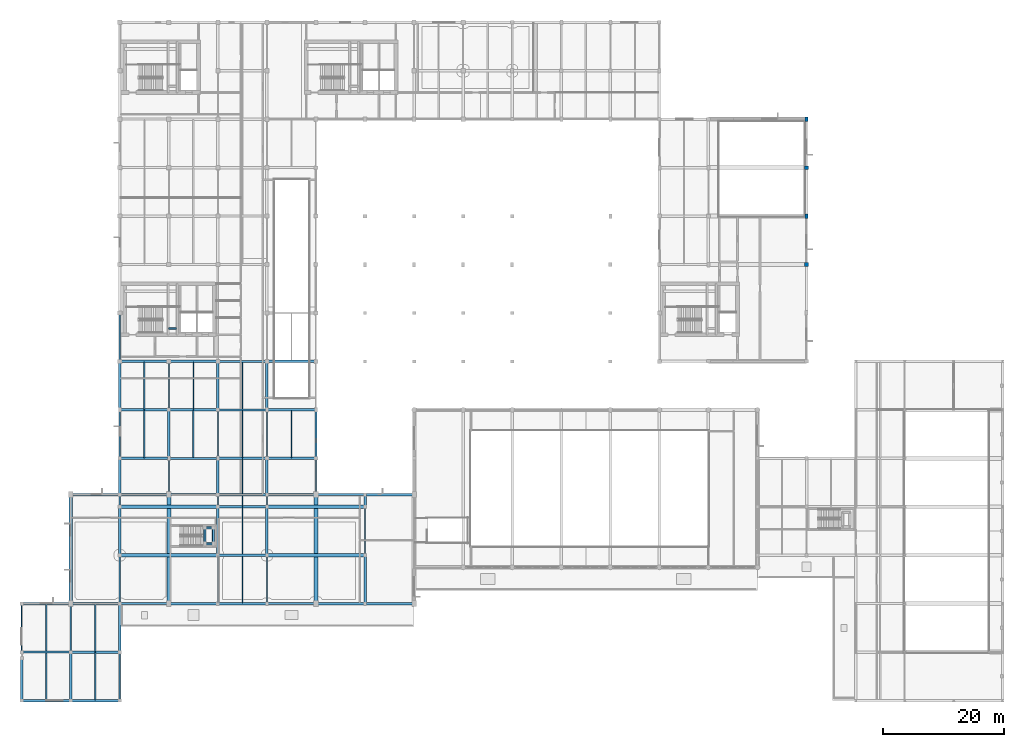
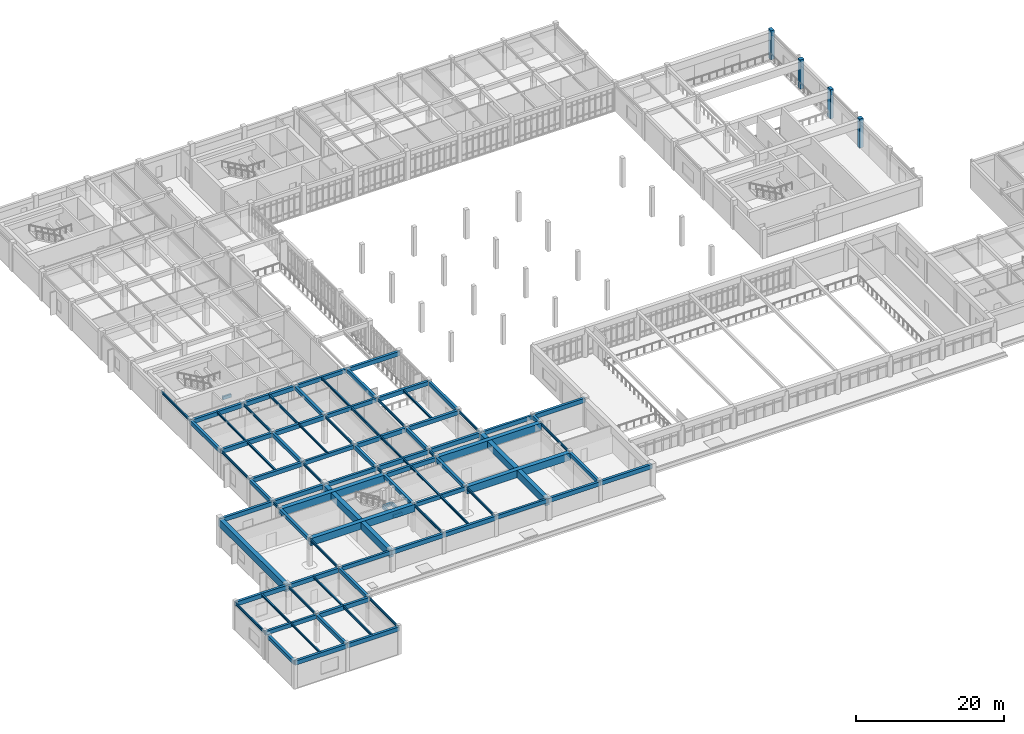
# One storey, part 4 of 61: 92 beams, 4 columns.
"""IFC4 building model written with IfcOpenShell, lengths in metres."""

from ifc_helpers import new_model, si_unit, direction, frame, origin, origin_2d, place, context, subcontext, project, spatial, rectangle, i_section, extrude, material, material_profile, profile_set, type_object, element, save


model = new_model("IFC4")

# Units and contexts
model_context = context("Model", 3, precision=1e-05, world=origin(), true_north=direction((0.0, 1.0)))
body_context = subcontext(model_context, "Body", "Model", "MODEL_VIEW")
ifc_project = project(units=[si_unit("LENGTHUNIT", "METRE"), si_unit("AREAUNIT", "SQUARE_METRE"), si_unit("VOLUMEUNIT", "CUBIC_METRE"), si_unit("PLANEANGLEUNIT", "RADIAN"), si_unit("MASSUNIT", "GRAM", prefix="KILO")], contexts=[model_context])

# Site, building, storey
site_placement = place(None, origin())
site = spatial("IfcSite", under=ifc_project, at=site_placement, CompositionType="ELEMENT")
building_placement = place(site_placement, origin())
building = spatial("IfcBuilding", under=site, at=building_placement, Name="Tarnveldt Square Police Headquarters", CompositionType="ELEMENT")
storey_placement = place(building_placement, frame((0.0, 0.0, 5.39990234375)))
storey = spatial("IfcBuildingStorey", under=building, at=storey_placement, Name="L01", CompositionType="ELEMENT", Elevation=5.39990234375)

# Columns
ifc_material_1 = material(Name="Concrete 40 MPa", Category="concrete")
ifc_material_profile_1 = material_profile(ifc_material_1, rectangle(XDim=0.5, YDim=0.75, at=origin_2d()), Name="RC-C500x750")
ifc_profile_set_1 = profile_set([ifc_material_profile_1], Name="Concrete 40 MPa")
column_type_1 = type_object("IfcColumnType", Name="COL-RC500x750", PredefinedType="COLUMN", material=ifc_profile_set_1)
for number, where, z_axis, x_axis, name in (
    (1, (129.60009765625, 80.0, 0.0), (0.0, 0.0, 1.0), (1.0, 0.0, 0.0), "L01 Column 175"),
    (2, (129.60009765625, 96.0, 0.0), (0.0, 0.0, 1.0), (1.0, 0.0, 0.0), "L01 Column 177"),
):
    element("IfcColumn", number, at=place(storey_placement, frame(where, z_axis=z_axis, x_axis=x_axis)), inside=storey, type_object=column_type_1, Name=name, PredefinedType="COLUMN", context=body_context, shape_type="SweptSolid", body=[
        extrude(rectangle(XDim=0.5, YDim=0.75, at=origin_2d()), origin(), (0.0, 0.0, 1.0), 4.800048828125),
    ])
ifc_material_profile_2 = material_profile(ifc_material_1, rectangle(XDim=0.60009765625, YDim=0.60009765625, at=origin_2d()), Name="RC-C600x600")
ifc_profile_set_2 = profile_set([ifc_material_profile_2], Name="Concrete 40 MPa")
column_type_2 = type_object("IfcColumnType", Name="COL-RC600", PredefinedType="COLUMN", material=ifc_profile_set_2)
for number, where, z_axis, x_axis, name in (
    (3, (129.60009765625, 72.0, 0.0), (0.0, 0.0, 1.0), (1.0, 0.0, 0.0), "L01 Column 174"),
    (4, (129.60009765625, 88.0, 0.0), (0.0, 0.0, 1.0), (1.0, 0.0, 0.0), "L01 Column 176"),
):
    element("IfcColumn", number, at=place(storey_placement, frame(where, z_axis=z_axis, x_axis=x_axis)), inside=storey, type_object=column_type_2, Name=name, PredefinedType="COLUMN", context=body_context, shape_type="SweptSolid", body=[
        extrude(rectangle(XDim=0.60009765625, YDim=0.60009765625, at=origin_2d()), origin(), (0.0, 0.0, 1.0), 4.800048828125),
    ])

# Beams
ifc_material_profile_3 = material_profile(ifc_material_1, rectangle(XDim=0.300048828125, YDim=0.5, at=origin_2d()), Name="RC-B300x500")
ifc_profile_set_3 = profile_set([ifc_material_profile_3], Name="Concrete 40 MPa")
beam_type_1 = type_object("IfcBeamType", Name="BM-RC300x500", PredefinedType="BEAM", material=ifc_profile_set_3)
beam_1_placement = place(storey_placement, frame((24.25, 61.449951171875, 1.9501953125), z_axis=(1.0, 0.0, 0.0), x_axis=(0.0, 1.0, 0.0)))
element("IfcBeam", 5, at=beam_1_placement, inside=storey, type_object=beam_type_1, Name="ST1 L01 Half-Landing Support Beam 2", PredefinedType="BEAM", context=body_context, shape_type="SweptSolid", body=[
    extrude(rectangle(XDim=0.300048828125, YDim=0.5, at=origin_2d()), origin(), (0.0, 0.0, 1.0), 1.300048828125),
])
for number, where, z_axis, x_axis, name in (
    (6, (30.25, 25.8798828125, 1.97021484375), (0.0, 1.0, 0.0), (-1.0, 0.0, 0.0), "ST6 L01 Half-Landing West Support Beam"),
    (7, (31.64990234375, 25.8798828125, 1.97021484375), (0.0, 1.0, 0.0), (-1.0, 0.0, 0.0), "ST6 L01 Half-Landing East Support Beam"),
):
    element("IfcBeam", number, at=place(storey_placement, frame(where, z_axis=z_axis, x_axis=x_axis)), inside=storey, type_object=beam_type_1, Name=name, PredefinedType="BEAM", context=body_context, shape_type="SweptSolid", body=[
        extrude(rectangle(XDim=0.300048828125, YDim=0.5, at=origin_2d()), origin(), (0.0, 0.0, 1.0), 2.64013671875),
    ])
for number, where, z_axis, x_axis, name in (
    (8, (30.25, 25.8798828125, 1.97021484375), (1.0, 0.0, 0.0), (0.0, 1.0, 0.0), "ST6 L01 Half-Landing South Support Beam"),
    (9, (30.25, 28.52001953125, 1.97021484375), (1.0, 0.0, 0.0), (0.0, 1.0, 0.0), "ST6 L01 Half-Landing North Support Beam"),
):
    element("IfcBeam", number, at=place(storey_placement, frame(where, z_axis=z_axis, x_axis=x_axis)), inside=storey, type_object=beam_type_1, Name=name, PredefinedType="BEAM", context=body_context, shape_type="SweptSolid", body=[
        extrude(rectangle(XDim=0.300048828125, YDim=0.5, at=origin_2d()), origin(), (0.0, 0.0, 1.0), 1.39990234375),
    ])
ifc_material_profile_4 = material_profile(ifc_material_1, rectangle(XDim=0.39990234375, YDim=0.60009765625, at=origin_2d()), Name="RC-B400x600")
ifc_profile_set_4 = profile_set([ifc_material_profile_4], Name="Concrete 40 MPa")
beam_type_2 = type_object("IfcBeamType", Name="BM-RC400x600", PredefinedType="BEAM", material=ifc_profile_set_4)
beam_2_placement = place(storey_placement, frame((0.0, 0.0, 4.22021484375), z_axis=(0.0, 1.0, 0.0), x_axis=(-1.0, 0.0, 0.0)))
element("IfcBeam", 10, at=beam_2_placement, inside=storey, type_object=beam_type_2, Name="L02 Grid Girder Y-0565", PredefinedType="BEAM", context=body_context, shape_type="SweptSolid", body=[
    extrude(rectangle(XDim=0.39990234375, YDim=0.60009765625, at=origin_2d()), origin(), (0.0, 0.0, 1.0), 7.0),
])
for number, where, z_axis, x_axis, name in (
    (11, (8.10009765625, 0.0, 4.22021484375), (0.0, 1.0, 0.0), (-1.0, 0.0, 0.0), "L02 Grid Girder Y-0567"),
    (12, (16.199951171875, 8.0, 4.22021484375), (0.0, 1.0, 0.0), (-1.0, 0.0, 0.0), "L02 Grid Girder Y-0571"),
    (13, (16.199951171875, 24.0, 4.22021484375), (0.0, 1.0, 0.0), (-1.0, 0.0, 0.0), "L02 Grid Girder Y-0573"),
):
    element("IfcBeam", number, at=place(storey_placement, frame(where, z_axis=z_axis, x_axis=x_axis)), inside=storey, type_object=beam_type_2, Name=name, PredefinedType="BEAM", context=body_context, shape_type="SweptSolid", body=[
        extrude(rectangle(XDim=0.39990234375, YDim=0.60009765625, at=origin_2d()), origin(), (0.0, 0.0, 1.0), 8.0),
    ])
beam_3_placement = place(storey_placement, frame((16.199951171875, 34.0, 4.22021484375), z_axis=(0.0, 1.0, 0.0), x_axis=(-1.0, 0.0, 0.0)))
element("IfcBeam", 14, at=beam_3_placement, inside=storey, type_object=beam_type_2, Name="L02 Grid Girder Y-0575", PredefinedType="BEAM", context=body_context, shape_type="SweptSolid", body=[
    extrude(rectangle(XDim=0.39990234375, YDim=0.60009765625, at=origin_2d()), origin(), (0.0, 0.0, 1.0), 6.0),
])
for number, where, z_axis, x_axis, name in (
    (15, (16.199951171875, 48.0, 4.22021484375), (0.0, 1.0, 0.0), (-1.0, 0.0, 0.0), "L02 Grid Girder Y-0577"),
    (16, (24.300048828125, 40.0, 4.22021484375), (0.0, 1.0, 0.0), (-1.0, 0.0, 0.0), "L02 Grid Girder Y-0587"),
    (17, (32.39990234375, 24.0, 4.22021484375), (0.0, 1.0, 0.0), (-1.0, 0.0, 0.0), "L02 Grid Girder Y-0593"),
):
    element("IfcBeam", number, at=place(storey_placement, frame(where, z_axis=z_axis, x_axis=x_axis)), inside=storey, type_object=beam_type_2, Name=name, PredefinedType="BEAM", context=body_context, shape_type="SweptSolid", body=[
        extrude(rectangle(XDim=0.39990234375, YDim=0.60009765625, at=origin_2d()), origin(), (0.0, 0.0, 1.0), 8.0),
    ])
beam_4_placement = place(storey_placement, frame((32.39990234375, 34.0, 4.22021484375), z_axis=(0.0, 1.0, 0.0), x_axis=(-1.0, 0.0, 0.0)))
element("IfcBeam", 18, at=beam_4_placement, inside=storey, type_object=beam_type_2, Name="L02 Grid Girder Y-0595", PredefinedType="BEAM", context=body_context, shape_type="SweptSolid", body=[
    extrude(rectangle(XDim=0.39990234375, YDim=0.60009765625, at=origin_2d()), origin(), (0.0, 0.0, 1.0), 6.0),
])
for number, where, z_axis, x_axis, name in (
    (19, (32.39990234375, 48.0, 4.22021484375), (0.0, 1.0, 0.0), (-1.0, 0.0, 0.0), "L02 Grid Girder Y-0597"),
    (20, (40.5, 24.0, 4.22021484375), (0.0, 1.0, 0.0), (-1.0, 0.0, 0.0), "L02 Grid Girder Y-0605"),
):
    element("IfcBeam", number, at=place(storey_placement, frame(where, z_axis=z_axis, x_axis=x_axis)), inside=storey, type_object=beam_type_2, Name=name, PredefinedType="BEAM", context=body_context, shape_type="SweptSolid", body=[
        extrude(rectangle(XDim=0.39990234375, YDim=0.60009765625, at=origin_2d()), origin(), (0.0, 0.0, 1.0), 8.0),
    ])
beam_5_placement = place(storey_placement, frame((40.5, 34.0, 4.22021484375), z_axis=(0.0, 1.0, 0.0), x_axis=(-1.0, 0.0, 0.0)))
element("IfcBeam", 21, at=beam_5_placement, inside=storey, type_object=beam_type_2, Name="L02 Grid Girder Y-0607", PredefinedType="BEAM", context=body_context, shape_type="SweptSolid", body=[
    extrude(rectangle(XDim=0.39990234375, YDim=0.60009765625, at=origin_2d()), origin(), (0.0, 0.0, 1.0), 6.0),
])
for number, where, z_axis, x_axis, name in (
    (22, (40.5, 48.0, 4.22021484375), (0.0, 1.0, 0.0), (-1.0, 0.0, 0.0), "L02 Grid Girder Y-0609"),
    (23, (48.60009765625, 40.0, 4.22021484375), (0.0, 1.0, 0.0), (-1.0, 0.0, 0.0), "L02 Grid Girder Y-0619"),
    (24, (56.699951171875, 16.0, 4.22021484375), (0.0, 1.0, 0.0), (-1.0, 0.0, 0.0), "L02 Grid Girder Y-0625"),
):
    element("IfcBeam", number, at=place(storey_placement, frame(where, z_axis=z_axis, x_axis=x_axis)), inside=storey, type_object=beam_type_2, Name=name, PredefinedType="BEAM", context=body_context, shape_type="SweptSolid", body=[
        extrude(rectangle(XDim=0.39990234375, YDim=0.60009765625, at=origin_2d()), origin(), (0.0, 0.0, 1.0), 8.0),
    ])
beam_6_placement = place(storey_placement, frame((56.699951171875, 32.0, 4.22021484375), z_axis=(0.0, 1.0, 0.0), x_axis=(-1.0, 0.0, 0.0)))
element("IfcBeam", 25, at=beam_6_placement, inside=storey, type_object=beam_type_2, Name="L02 Grid Girder Y-0627", PredefinedType="BEAM", context=body_context, shape_type="SweptSolid", body=[
    extrude(rectangle(XDim=0.39990234375, YDim=0.60009765625, at=origin_2d()), origin(), (0.0, 0.0, 1.0), 2.0),
])
ifc_material_profile_5 = material_profile(ifc_material_1, rectangle(XDim=0.39990234375, YDim=0.699951171875, at=origin_2d()), Name="RC-B400x700")
ifc_profile_set_5 = profile_set([ifc_material_profile_5], Name="Concrete 40 MPa")
beam_type_3 = type_object("IfcBeamType", Name="BM-RC400x700", PredefinedType="BEAM", material=ifc_profile_set_5)
beam_7_placement = place(storey_placement, frame((0.0, 0.0, 4.170166015625), z_axis=(1.0, 0.0, 0.0), x_axis=(0.0, 1.0, 0.0)))
element("IfcBeam", 26, at=beam_7_placement, inside=storey, type_object=beam_type_3, Name="L02 Grid Girder X-0455", PredefinedType="BEAM", context=body_context, shape_type="SweptSolid", body=[
    extrude(rectangle(XDim=0.39990234375, YDim=0.699951171875, at=origin_2d()), origin(), (0.0, 0.0, 1.0), 8.10009765625),
])
for number, where, z_axis, x_axis, name in (
    (27, (8.10009765625, 0.0, 4.170166015625), (1.0, 0.0, 0.0), (0.0, 1.0, 0.0), "L02 Grid Girder X-0456"),
    (28, (8.10009765625, 8.0, 4.170166015625), (1.0, 0.0, 0.0), (0.0, 1.0, 0.0), "L02 Grid Girder X-0461"),
):
    element("IfcBeam", number, at=place(storey_placement, frame(where, z_axis=z_axis, x_axis=x_axis)), inside=storey, type_object=beam_type_3, Name=name, PredefinedType="BEAM", context=body_context, shape_type="SweptSolid", body=[
        extrude(rectangle(XDim=0.39990234375, YDim=0.699951171875, at=origin_2d()), origin(), (0.0, 0.0, 1.0), 8.099853515625),
    ])
beam_8_placement = place(storey_placement, frame((0.0, 16.0, 4.170166015625), z_axis=(1.0, 0.0, 0.0), x_axis=(0.0, 1.0, 0.0)))
element("IfcBeam", 29, at=beam_8_placement, inside=storey, type_object=beam_type_3, Name="L02 Grid Girder X-0464", PredefinedType="BEAM", context=body_context, shape_type="SweptSolid", body=[
    extrude(rectangle(XDim=0.39990234375, YDim=0.699951171875, at=origin_2d()), origin(), (0.0, 0.0, 1.0), 8.10009765625),
])
for number, where, z_axis, x_axis, name in (
    (30, (8.10009765625, 16.0, 4.170166015625), (1.0, 0.0, 0.0), (0.0, 1.0, 0.0), "L02 Grid Girder X-0465"),
    (31, (24.300048828125, 16.0, 4.170166015625), (1.0, 0.0, 0.0), (0.0, 1.0, 0.0), "L02 Grid Girder X-0467"),
):
    element("IfcBeam", number, at=place(storey_placement, frame(where, z_axis=z_axis, x_axis=x_axis)), inside=storey, type_object=beam_type_3, Name=name, PredefinedType="BEAM", context=body_context, shape_type="SweptSolid", body=[
        extrude(rectangle(XDim=0.39990234375, YDim=0.699951171875, at=origin_2d()), origin(), (0.0, 0.0, 1.0), 8.099853515625),
    ])
beam_9_placement = place(storey_placement, frame((32.39990234375, 16.0, 4.170166015625), z_axis=(1.0, 0.0, 0.0), x_axis=(0.0, 1.0, 0.0)))
element("IfcBeam", 32, at=beam_9_placement, inside=storey, type_object=beam_type_3, Name="L02 Grid Girder X-0468", PredefinedType="BEAM", context=body_context, shape_type="SweptSolid", body=[
    extrude(rectangle(XDim=0.39990234375, YDim=0.699951171875, at=origin_2d()), origin(), (0.0, 0.0, 1.0), 8.10009765625),
])
beam_10_placement = place(storey_placement, frame((48.60009765625, 16.0, 4.170166015625), z_axis=(1.0, 0.0, 0.0), x_axis=(0.0, 1.0, 0.0)))
element("IfcBeam", 33, at=beam_10_placement, inside=storey, type_object=beam_type_3, Name="L02 Grid Girder X-0470", PredefinedType="BEAM", context=body_context, shape_type="SweptSolid", body=[
    extrude(rectangle(XDim=0.39990234375, YDim=0.699951171875, at=origin_2d()), origin(), (0.0, 0.0, 1.0), 8.099853515625),
])
for number, where, z_axis, x_axis, name in (
    (34, (56.699951171875, 16.0, 4.170166015625), (1.0, 0.0, 0.0), (0.0, 1.0, 0.0), "L02 Grid Girder X-0471"),
    (35, (32.39990234375, 32.0, 4.170166015625), (1.0, 0.0, 0.0), (0.0, 1.0, 0.0), "L02 Grid Girder X-0482"),
):
    element("IfcBeam", number, at=place(storey_placement, frame(where, z_axis=z_axis, x_axis=x_axis)), inside=storey, type_object=beam_type_3, Name=name, PredefinedType="BEAM", context=body_context, shape_type="SweptSolid", body=[
        extrude(rectangle(XDim=0.39990234375, YDim=0.699951171875, at=origin_2d()), origin(), (0.0, 0.0, 1.0), 8.10009765625),
    ])
beam_11_placement = place(storey_placement, frame((8.10009765625, 34.0, 4.170166015625), z_axis=(1.0, 0.0, 0.0), x_axis=(0.0, 1.0, 0.0)))
element("IfcBeam", 36, at=beam_11_placement, inside=storey, type_object=beam_type_3, Name="L02 Grid Girder X-0488", PredefinedType="BEAM", context=body_context, shape_type="SweptSolid", body=[
    extrude(rectangle(XDim=0.39990234375, YDim=0.699951171875, at=origin_2d()), origin(), (0.0, 0.0, 1.0), 8.099853515625),
])
for number, where, z_axis, x_axis, name in (
    (37, (16.199951171875, 34.0, 4.170166015625), (1.0, 0.0, 0.0), (0.0, 1.0, 0.0), "L02 Grid Girder X-0489"),
    (38, (32.39990234375, 34.0, 4.170166015625), (1.0, 0.0, 0.0), (0.0, 1.0, 0.0), "L02 Grid Girder X-0491"),
    (39, (40.5, 34.0, 4.170166015625), (1.0, 0.0, 0.0), (0.0, 1.0, 0.0), "L02 Grid Girder X-0492"),
    (40, (56.699951171875, 34.0, 4.170166015625), (1.0, 0.0, 0.0), (0.0, 1.0, 0.0), "L02 Grid Girder X-0494"),
    (41, (16.199951171875, 40.0, 4.170166015625), (1.0, 0.0, 0.0), (0.0, 1.0, 0.0), "L02 Grid Girder X-0495"),
    (42, (32.39990234375, 40.0, 4.170166015625), (1.0, 0.0, 0.0), (0.0, 1.0, 0.0), "L02 Grid Girder X-0497"),
    (43, (40.5, 40.0, 4.170166015625), (1.0, 0.0, 0.0), (0.0, 1.0, 0.0), "L02 Grid Girder X-0498"),
    (44, (16.199951171875, 48.0, 4.170166015625), (1.0, 0.0, 0.0), (0.0, 1.0, 0.0), "L02 Grid Girder X-0503"),
):
    element("IfcBeam", number, at=place(storey_placement, frame(where, z_axis=z_axis, x_axis=x_axis)), inside=storey, type_object=beam_type_3, Name=name, PredefinedType="BEAM", context=body_context, shape_type="SweptSolid", body=[
        extrude(rectangle(XDim=0.39990234375, YDim=0.699951171875, at=origin_2d()), origin(), (0.0, 0.0, 1.0), 8.10009765625),
    ])
beam_12_placement = place(storey_placement, frame((24.300048828125, 48.0, 4.170166015625), z_axis=(1.0, 0.0, 0.0), x_axis=(0.0, 1.0, 0.0)))
element("IfcBeam", 45, at=beam_12_placement, inside=storey, type_object=beam_type_3, Name="L02 Grid Girder X-0504", PredefinedType="BEAM", context=body_context, shape_type="SweptSolid", body=[
    extrude(rectangle(XDim=0.39990234375, YDim=0.699951171875, at=origin_2d()), origin(), (0.0, 0.0, 1.0), 8.099853515625),
])
for number, where, z_axis, x_axis, name in (
    (46, (40.5, 48.0, 4.170166015625), (1.0, 0.0, 0.0), (0.0, 1.0, 0.0), "L02 Grid Girder X-0506"),
    (47, (16.199951171875, 56.0, 4.170166015625), (1.0, 0.0, 0.0), (0.0, 1.0, 0.0), "L02 Grid Girder X-0509"),
):
    element("IfcBeam", number, at=place(storey_placement, frame(where, z_axis=z_axis, x_axis=x_axis)), inside=storey, type_object=beam_type_3, Name=name, PredefinedType="BEAM", context=body_context, shape_type="SweptSolid", body=[
        extrude(rectangle(XDim=0.39990234375, YDim=0.699951171875, at=origin_2d()), origin(), (0.0, 0.0, 1.0), 8.10009765625),
    ])
beam_13_placement = place(storey_placement, frame((24.300048828125, 56.0, 4.170166015625), z_axis=(1.0, 0.0, 0.0), x_axis=(0.0, 1.0, 0.0)))
element("IfcBeam", 48, at=beam_13_placement, inside=storey, type_object=beam_type_3, Name="L02 Grid Girder X-0510", PredefinedType="BEAM", context=body_context, shape_type="SweptSolid", body=[
    extrude(rectangle(XDim=0.39990234375, YDim=0.699951171875, at=origin_2d()), origin(), (0.0, 0.0, 1.0), 8.099853515625),
])
beam_14_placement = place(storey_placement, frame((40.5, 56.0, 4.170166015625), z_axis=(1.0, 0.0, 0.0), x_axis=(0.0, 1.0, 0.0)))
element("IfcBeam", 49, at=beam_14_placement, inside=storey, type_object=beam_type_3, Name="L02 Grid Girder X-0512", PredefinedType="BEAM", context=body_context, shape_type="SweptSolid", body=[
    extrude(rectangle(XDim=0.39990234375, YDim=0.699951171875, at=origin_2d()), origin(), (0.0, 0.0, 1.0), 8.10009765625),
])
ifc_material_2 = material(Name="Concrete 50 MPa", Category="concrete")
ifc_material_profile_6 = material_profile(ifc_material_2, rectangle(XDim=0.64990234375, YDim=1.199951171875, at=origin_2d()), Name="RC-B650x1200")
ifc_profile_set_6 = profile_set([ifc_material_profile_6], Name="Concrete 50 MPa")
beam_type_4 = type_object("IfcBeamType", Name="BM-RC650x1200", PredefinedType="BEAM", material=ifc_profile_set_6)
for number, where, z_axis, x_axis, name in (
    (50, (16.199951171875, 24.0, 3.920166015625), (1.0, 0.0, 0.0), (0.0, 1.0, 0.0), "L02 Grid Girder X-0474"),
    (51, (40.5, 24.0, 3.920166015625), (1.0, 0.0, 0.0), (0.0, 1.0, 0.0), "L02 Grid Girder X-0476"),
    (52, (16.199951171875, 32.0, 3.920166015625), (1.0, 0.0, 0.0), (0.0, 1.0, 0.0), "L02 Grid Girder X-0481"),
    (53, (40.5, 32.0, 3.920166015625), (1.0, 0.0, 0.0), (0.0, 1.0, 0.0), "L02 Grid Girder X-0483"),
):
    element("IfcBeam", number, at=place(storey_placement, frame(where, z_axis=z_axis, x_axis=x_axis)), inside=storey, type_object=beam_type_4, Name=name, PredefinedType="BEAM", context=body_context, shape_type="SweptSolid", body=[
        extrude(rectangle(XDim=0.64990234375, YDim=1.199951171875, at=origin_2d()), origin(), (0.0, 0.0, 1.0), 16.199951171875),
    ])
for number, where, z_axis, x_axis, name in (
    (54, (8.10009765625, 16.0, 3.920166015625), (0.0, 1.0, 0.0), (-1.0, 0.0, 0.0), "L02 Grid Girder Y-0569"),
    (55, (24.300048828125, 16.0, 3.920166015625), (0.0, 1.0, 0.0), (-1.0, 0.0, 0.0), "L02 Grid Girder Y-0585"),
    (56, (48.60009765625, 16.0, 3.920166015625), (0.0, 1.0, 0.0), (-1.0, 0.0, 0.0), "L02 Grid Girder Y-0617"),
):
    element("IfcBeam", number, at=place(storey_placement, frame(where, z_axis=z_axis, x_axis=x_axis)), inside=storey, type_object=beam_type_4, Name=name, PredefinedType="BEAM", context=body_context, shape_type="SweptSolid", body=[
        extrude(rectangle(XDim=0.64990234375, YDim=1.199951171875, at=origin_2d()), origin(), (0.0, 0.0, 1.0), 18.0),
    ])
ifc_material_profile_7 = material_profile(ifc_material_1, rectangle(XDim=0.35009765625, YDim=0.64990234375, at=origin_2d()), Name="RC-SP350x650")
ifc_profile_set_7 = profile_set([ifc_material_profile_7], Name="Concrete 40 MPa")
beam_type_5 = type_object("IfcBeamType", Name="BM-SP350x650", PredefinedType="SPANDREL", material=ifc_profile_set_7)
for number, where, z_axis, x_axis, name in (
    (57, (0.0, 8.0, 4.195068359375), (1.0, 0.0, 0.0), (0.0, 1.0, 0.0), "L02 Grid Girder X-0460"),
    (58, (16.199951171875, 16.0, 4.195068359375), (1.0, 0.0, 0.0), (0.0, 1.0, 0.0), "L02 Grid Girder X-0466"),
    (59, (40.5, 16.0, 4.195068359375), (1.0, 0.0, 0.0), (0.0, 1.0, 0.0), "L02 Grid Girder X-0469"),
    (60, (32.39990234375, 24.0, 4.195068359375), (1.0, 0.0, 0.0), (0.0, 1.0, 0.0), "L02 Grid Girder X-0475"),
):
    element("IfcBeam", number, at=place(storey_placement, frame(where, z_axis=z_axis, x_axis=x_axis)), inside=storey, type_object=beam_type_5, Name=name, PredefinedType="SPANDREL", context=body_context, shape_type="SweptSolid", body=[
        extrude(rectangle(XDim=0.35009765625, YDim=0.64990234375, at=origin_2d()), origin(), (0.0, 0.0, 1.0), 8.10009765625),
    ])
for number, where, z_axis, x_axis, name in (
    (61, (24.300048828125, 34.0, 4.195068359375), (1.0, 0.0, 0.0), (0.0, 1.0, 0.0), "L02 Grid Girder X-0490"),
    (62, (48.60009765625, 34.0, 4.195068359375), (1.0, 0.0, 0.0), (0.0, 1.0, 0.0), "L02 Grid Girder X-0493"),
    (63, (24.300048828125, 40.0, 4.195068359375), (1.0, 0.0, 0.0), (0.0, 1.0, 0.0), "L02 Grid Girder X-0496"),
):
    element("IfcBeam", number, at=place(storey_placement, frame(where, z_axis=z_axis, x_axis=x_axis)), inside=storey, type_object=beam_type_5, Name=name, PredefinedType="SPANDREL", context=body_context, shape_type="SweptSolid", body=[
        extrude(rectangle(XDim=0.35009765625, YDim=0.64990234375, at=origin_2d()), origin(), (0.0, 0.0, 1.0), 8.099853515625),
    ])
for number, where, z_axis, x_axis, name in (
    (64, (32.39990234375, 48.0, 4.195068359375), (1.0, 0.0, 0.0), (0.0, 1.0, 0.0), "L02 Grid Girder X-0505"),
    (65, (32.39990234375, 56.0, 4.195068359375), (1.0, 0.0, 0.0), (0.0, 1.0, 0.0), "L02 Grid Girder X-0511"),
):
    element("IfcBeam", number, at=place(storey_placement, frame(where, z_axis=z_axis, x_axis=x_axis)), inside=storey, type_object=beam_type_5, Name=name, PredefinedType="SPANDREL", context=body_context, shape_type="SweptSolid", body=[
        extrude(rectangle(XDim=0.35009765625, YDim=0.64990234375, at=origin_2d()), origin(), (0.0, 0.0, 1.0), 8.10009765625),
    ])
ifc_material_3 = material(Name="Steel 350W", Category="steel")
ifc_material_profile_8 = material_profile(ifc_material_3, i_section(OverallWidth=0.202880859375, OverallDepth=0.302978515625, WebThickness=0.007568359375, FlangeThickness=0.01318359375, FilletRadius=0.014892578125, at=origin_2d()), Name="W310x60")
ifc_profile_set_8 = profile_set([ifc_material_profile_8], Name="Steel 350W")
beam_type_6 = type_object("IfcBeamType", Name="BM-W310x60", PredefinedType="JOIST", material=ifc_profile_set_8)
for number, where, z_axis, x_axis, name in (
    (66, (4.050048828125, 0.080078125, 4.36865234375), (0.0, 1.0, 0.0), (-1.0, 0.0, 0.0), "L02 Secondary Floor Joist 0096"),
    (67, (12.14990234375, 8.080078125, 4.36865234375), (0.0, 1.0, 0.0), (-1.0, 0.0, 0.0), "L02 Secondary Floor Joist 0100"),
    (68, (36.449951171875, 24.080078125, 4.36865234375), (0.0, 1.0, 0.0), (-1.0, 0.0, 0.0), "L02 Secondary Floor Joist 0104"),
    (69, (28.35009765625, 40.080078125, 4.36865234375), (0.0, 1.0, 0.0), (-1.0, 0.0, 0.0), "L02 Secondary Floor Joist 0112"),
    (70, (20.25, 48.080078125, 4.36865234375), (0.0, 1.0, 0.0), (-1.0, 0.0, 0.0), "L02 Secondary Floor Joist 0116"),
):
    element("IfcBeam", number, at=place(storey_placement, frame(where, z_axis=z_axis, x_axis=x_axis)), inside=storey, type_object=beam_type_6, Name=name, PredefinedType="JOIST", context=body_context, shape_type="SweptSolid", body=[
        extrude(i_section(OverallWidth=0.202880859375, OverallDepth=0.302978515625, WebThickness=0.007568359375, FlangeThickness=0.01318359375, FilletRadius=0.014892578125, at=origin_2d()), origin(), (0.0, 0.0, 1.0), 7.83984375),
    ])
ifc_material_profile_9 = material_profile(ifc_material_3, i_section(OverallWidth=0.202880859375, OverallDepth=0.346923828125, WebThickness=0.0078125, FlangeThickness=0.013427734375, FilletRadius=0.01611328125, at=origin_2d()), Name="W360x64")
ifc_profile_set_9 = profile_set([ifc_material_profile_9], Name="Steel 350W")
beam_type_7 = type_object("IfcBeamType", Name="BM-W360x64", PredefinedType="JOIST", material=ifc_profile_set_9)
for number, where, z_axis, x_axis, name in (
    (71, (4.050048828125, 8.080078125, 4.3466796875), (0.0, 1.0, 0.0), (-1.0, 0.0, 0.0), "L02 Secondary Floor Joist 0099"),
    (72, (36.449951171875, 32.080078125, 4.3466796875), (0.0, 1.0, 0.0), (-1.0, 0.0, 0.0), "L02 Secondary Floor Joist 0107"),
    (73, (20.25, 40.080078125, 4.3466796875), (0.0, 1.0, 0.0), (-1.0, 0.0, 0.0), "L02 Secondary Floor Joist 0111"),
):
    element("IfcBeam", number, at=place(storey_placement, frame(where, z_axis=z_axis, x_axis=x_axis)), inside=storey, type_object=beam_type_7, Name=name, PredefinedType="JOIST", context=body_context, shape_type="SweptSolid", body=[
        extrude(i_section(OverallWidth=0.202880859375, OverallDepth=0.346923828125, WebThickness=0.0078125, FlangeThickness=0.013427734375, FilletRadius=0.01611328125, at=origin_2d()), origin(), (0.0, 0.0, 1.0), 7.83984375),
    ])
ifc_material_profile_10 = material_profile(ifc_material_3, i_section(OverallWidth=0.205078125, OverallDepth=0.35400390625, WebThickness=0.009521484375, FlangeThickness=0.016845703125, FilletRadius=0.01611328125, at=origin_2d()), Name="W360x79")
ifc_profile_set_10 = profile_set([ifc_material_profile_10], Name="Steel 350W")
beam_type_8 = type_object("IfcBeamType", Name="BM-W360x79", PredefinedType="JOIST", material=ifc_profile_set_10)
for number, where, z_axis, x_axis, name in (
    (74, (36.449951171875, 16.080078125, 4.343017578125), (0.0, 1.0, 0.0), (-1.0, 0.0, 0.0), "L02 Secondary Floor Joist 0102"),
    (75, (44.550048828125, 40.080078125, 4.343017578125), (0.0, 1.0, 0.0), (-1.0, 0.0, 0.0), "L02 Secondary Floor Joist 0114"),
    (76, (36.449951171875, 48.080078125, 4.343017578125), (0.0, 1.0, 0.0), (-1.0, 0.0, 0.0), "L02 Secondary Floor Joist 0118"),
):
    element("IfcBeam", number, at=place(storey_placement, frame(where, z_axis=z_axis, x_axis=x_axis)), inside=storey, type_object=beam_type_8, Name=name, PredefinedType="JOIST", context=body_context, shape_type="SweptSolid", body=[
        extrude(i_section(OverallWidth=0.205078125, OverallDepth=0.35400390625, WebThickness=0.009521484375, FlangeThickness=0.016845703125, FilletRadius=0.01611328125, at=origin_2d()), origin(), (0.0, 0.0, 1.0), 7.83984375),
    ])
ifc_material_profile_11 = material_profile(ifc_material_3, i_section(OverallWidth=0.177978515625, OverallDepth=0.406982421875, WebThickness=0.0078125, FlangeThickness=0.0126953125, FilletRadius=0.01611328125, at=origin_2d()), Name="W410x60")
ifc_profile_set_11 = profile_set([ifc_material_profile_11], Name="Steel 350W")
beam_type_9 = type_object("IfcBeamType", Name="BM-W410x60", PredefinedType="JOIST", material=ifc_profile_set_11)
for number, where, z_axis, x_axis, name in (
    (77, (12.14990234375, 0.080078125, 4.316650390625), (0.0, 1.0, 0.0), (-1.0, 0.0, 0.0), "L02 Secondary Floor Joist 0097"),
    (78, (36.449951171875, 40.080078125, 4.316650390625), (0.0, 1.0, 0.0), (-1.0, 0.0, 0.0), "L02 Secondary Floor Joist 0113"),
    (79, (28.35009765625, 48.080078125, 4.316650390625), (0.0, 1.0, 0.0), (-1.0, 0.0, 0.0), "L02 Secondary Floor Joist 0117"),
):
    element("IfcBeam", number, at=place(storey_placement, frame(where, z_axis=z_axis, x_axis=x_axis)), inside=storey, type_object=beam_type_9, Name=name, PredefinedType="JOIST", context=body_context, shape_type="SweptSolid", body=[
        extrude(i_section(OverallWidth=0.177978515625, OverallDepth=0.406982421875, WebThickness=0.0078125, FlangeThickness=0.0126953125, FilletRadius=0.01611328125, at=origin_2d()), origin(), (0.0, 0.0, 1.0), 7.83984375),
    ])
ifc_material_profile_12 = material_profile(ifc_material_3, i_section(OverallWidth=0.180908203125, OverallDepth=0.4169921875, WebThickness=0.010986328125, FlangeThickness=0.018310546875, FilletRadius=0.01611328125, at=origin_2d()), Name="W410x85")
ifc_profile_set_12 = profile_set([ifc_material_profile_12], Name="Steel 350W")
beam_type_10 = type_object("IfcBeamType", Name="BM-W410x85", PredefinedType="BEAM", material=ifc_profile_set_12)
for number, where, z_axis, x_axis, name in (
    (80, (0.0, 8.0, 4.3115234375), (0.0, 1.0, 0.0), (-1.0, 0.0, 0.0), "L02 Grid Girder Y-0566"),
    (81, (8.10009765625, 8.0, 4.3115234375), (0.0, 1.0, 0.0), (-1.0, 0.0, 0.0), "L02 Grid Girder Y-0568"),
    (82, (16.199951171875, 0.0, 4.3115234375), (0.0, 1.0, 0.0), (-1.0, 0.0, 0.0), "L02 Grid Girder Y-0570"),
    (83, (16.199951171875, 16.0, 4.3115234375), (0.0, 1.0, 0.0), (-1.0, 0.0, 0.0), "L02 Grid Girder Y-0572"),
):
    element("IfcBeam", number, at=place(storey_placement, frame(where, z_axis=z_axis, x_axis=x_axis)), inside=storey, type_object=beam_type_10, Name=name, PredefinedType="BEAM", context=body_context, shape_type="SweptSolid", body=[
        extrude(i_section(OverallWidth=0.180908203125, OverallDepth=0.4169921875, WebThickness=0.010986328125, FlangeThickness=0.018310546875, FilletRadius=0.01611328125, at=origin_2d()), origin(), (0.0, 0.0, 1.0), 8.0),
    ])
beam_15_placement = place(storey_placement, frame((16.199951171875, 32.0, 4.3115234375), z_axis=(0.0, 1.0, 0.0), x_axis=(-1.0, 0.0, 0.0)))
element("IfcBeam", 84, at=beam_15_placement, inside=storey, type_object=beam_type_10, Name="L02 Grid Girder Y-0574", PredefinedType="BEAM", context=body_context, shape_type="SweptSolid", body=[
    extrude(i_section(OverallWidth=0.180908203125, OverallDepth=0.4169921875, WebThickness=0.010986328125, FlangeThickness=0.018310546875, FilletRadius=0.01611328125, at=origin_2d()), origin(), (0.0, 0.0, 1.0), 2.0),
])
for number, where, z_axis, x_axis, name in (
    (85, (16.199951171875, 40.0, 4.3115234375), (0.0, 1.0, 0.0), (-1.0, 0.0, 0.0), "L02 Grid Girder Y-0576"),
    (86, (16.199951171875, 56.0, 4.3115234375), (0.0, 1.0, 0.0), (-1.0, 0.0, 0.0), "L02 Grid Girder Y-0578"),
):
    element("IfcBeam", number, at=place(storey_placement, frame(where, z_axis=z_axis, x_axis=x_axis)), inside=storey, type_object=beam_type_10, Name=name, PredefinedType="BEAM", context=body_context, shape_type="SweptSolid", body=[
        extrude(i_section(OverallWidth=0.180908203125, OverallDepth=0.4169921875, WebThickness=0.010986328125, FlangeThickness=0.018310546875, FilletRadius=0.01611328125, at=origin_2d()), origin(), (0.0, 0.0, 1.0), 8.0),
    ])
beam_16_placement = place(storey_placement, frame((24.300048828125, 34.0, 4.3115234375), z_axis=(0.0, 1.0, 0.0), x_axis=(-1.0, 0.0, 0.0)))
element("IfcBeam", 87, at=beam_16_placement, inside=storey, type_object=beam_type_10, Name="L02 Grid Girder Y-0586", PredefinedType="BEAM", context=body_context, shape_type="SweptSolid", body=[
    extrude(i_section(OverallWidth=0.180908203125, OverallDepth=0.4169921875, WebThickness=0.010986328125, FlangeThickness=0.018310546875, FilletRadius=0.01611328125, at=origin_2d()), origin(), (0.0, 0.0, 1.0), 6.0),
])
for number, where, z_axis, x_axis, name in (
    (88, (24.300048828125, 48.0, 4.3115234375), (0.0, 1.0, 0.0), (-1.0, 0.0, 0.0), "L02 Grid Girder Y-0588"),
    (89, (32.39990234375, 16.0, 4.3115234375), (0.0, 1.0, 0.0), (-1.0, 0.0, 0.0), "L02 Grid Girder Y-0592"),
):
    element("IfcBeam", number, at=place(storey_placement, frame(where, z_axis=z_axis, x_axis=x_axis)), inside=storey, type_object=beam_type_10, Name=name, PredefinedType="BEAM", context=body_context, shape_type="SweptSolid", body=[
        extrude(i_section(OverallWidth=0.180908203125, OverallDepth=0.4169921875, WebThickness=0.010986328125, FlangeThickness=0.018310546875, FilletRadius=0.01611328125, at=origin_2d()), origin(), (0.0, 0.0, 1.0), 8.0),
    ])
beam_17_placement = place(storey_placement, frame((32.39990234375, 32.0, 4.3115234375), z_axis=(0.0, 1.0, 0.0), x_axis=(-1.0, 0.0, 0.0)))
element("IfcBeam", 90, at=beam_17_placement, inside=storey, type_object=beam_type_10, Name="L02 Grid Girder Y-0594", PredefinedType="BEAM", context=body_context, shape_type="SweptSolid", body=[
    extrude(i_section(OverallWidth=0.180908203125, OverallDepth=0.4169921875, WebThickness=0.010986328125, FlangeThickness=0.018310546875, FilletRadius=0.01611328125, at=origin_2d()), origin(), (0.0, 0.0, 1.0), 2.0),
])
for number, where, z_axis, x_axis, name in (
    (91, (32.39990234375, 40.0, 4.3115234375), (0.0, 1.0, 0.0), (-1.0, 0.0, 0.0), "L02 Grid Girder Y-0596"),
    (92, (40.5, 16.0, 4.3115234375), (0.0, 1.0, 0.0), (-1.0, 0.0, 0.0), "L02 Grid Girder Y-0604"),
):
    element("IfcBeam", number, at=place(storey_placement, frame(where, z_axis=z_axis, x_axis=x_axis)), inside=storey, type_object=beam_type_10, Name=name, PredefinedType="BEAM", context=body_context, shape_type="SweptSolid", body=[
        extrude(i_section(OverallWidth=0.180908203125, OverallDepth=0.4169921875, WebThickness=0.010986328125, FlangeThickness=0.018310546875, FilletRadius=0.01611328125, at=origin_2d()), origin(), (0.0, 0.0, 1.0), 8.0),
    ])
beam_18_placement = place(storey_placement, frame((40.5, 32.0, 4.3115234375), z_axis=(0.0, 1.0, 0.0), x_axis=(-1.0, 0.0, 0.0)))
element("IfcBeam", 93, at=beam_18_placement, inside=storey, type_object=beam_type_10, Name="L02 Grid Girder Y-0606", PredefinedType="BEAM", context=body_context, shape_type="SweptSolid", body=[
    extrude(i_section(OverallWidth=0.180908203125, OverallDepth=0.4169921875, WebThickness=0.010986328125, FlangeThickness=0.018310546875, FilletRadius=0.01611328125, at=origin_2d()), origin(), (0.0, 0.0, 1.0), 2.0),
])
beam_19_placement = place(storey_placement, frame((40.5, 40.0, 4.3115234375), z_axis=(0.0, 1.0, 0.0), x_axis=(-1.0, 0.0, 0.0)))
element("IfcBeam", 94, at=beam_19_placement, inside=storey, type_object=beam_type_10, Name="L02 Grid Girder Y-0608", PredefinedType="BEAM", context=body_context, shape_type="SweptSolid", body=[
    extrude(i_section(OverallWidth=0.180908203125, OverallDepth=0.4169921875, WebThickness=0.010986328125, FlangeThickness=0.018310546875, FilletRadius=0.01611328125, at=origin_2d()), origin(), (0.0, 0.0, 1.0), 8.0),
])
beam_20_placement = place(storey_placement, frame((48.60009765625, 34.0, 4.3115234375), z_axis=(0.0, 1.0, 0.0), x_axis=(-1.0, 0.0, 0.0)))
element("IfcBeam", 95, at=beam_20_placement, inside=storey, type_object=beam_type_10, Name="L02 Grid Girder Y-0618", PredefinedType="BEAM", context=body_context, shape_type="SweptSolid", body=[
    extrude(i_section(OverallWidth=0.180908203125, OverallDepth=0.4169921875, WebThickness=0.010986328125, FlangeThickness=0.018310546875, FilletRadius=0.01611328125, at=origin_2d()), origin(), (0.0, 0.0, 1.0), 6.0),
])
beam_21_placement = place(storey_placement, frame((56.699951171875, 24.0, 4.3115234375), z_axis=(0.0, 1.0, 0.0), x_axis=(-1.0, 0.0, 0.0)))
element("IfcBeam", 96, at=beam_21_placement, inside=storey, type_object=beam_type_10, Name="L02 Grid Girder Y-0626", PredefinedType="BEAM", context=body_context, shape_type="SweptSolid", body=[
    extrude(i_section(OverallWidth=0.180908203125, OverallDepth=0.4169921875, WebThickness=0.010986328125, FlangeThickness=0.018310546875, FilletRadius=0.01611328125, at=origin_2d()), origin(), (0.0, 0.0, 1.0), 8.0),
])

save(model, "model.ifc")
